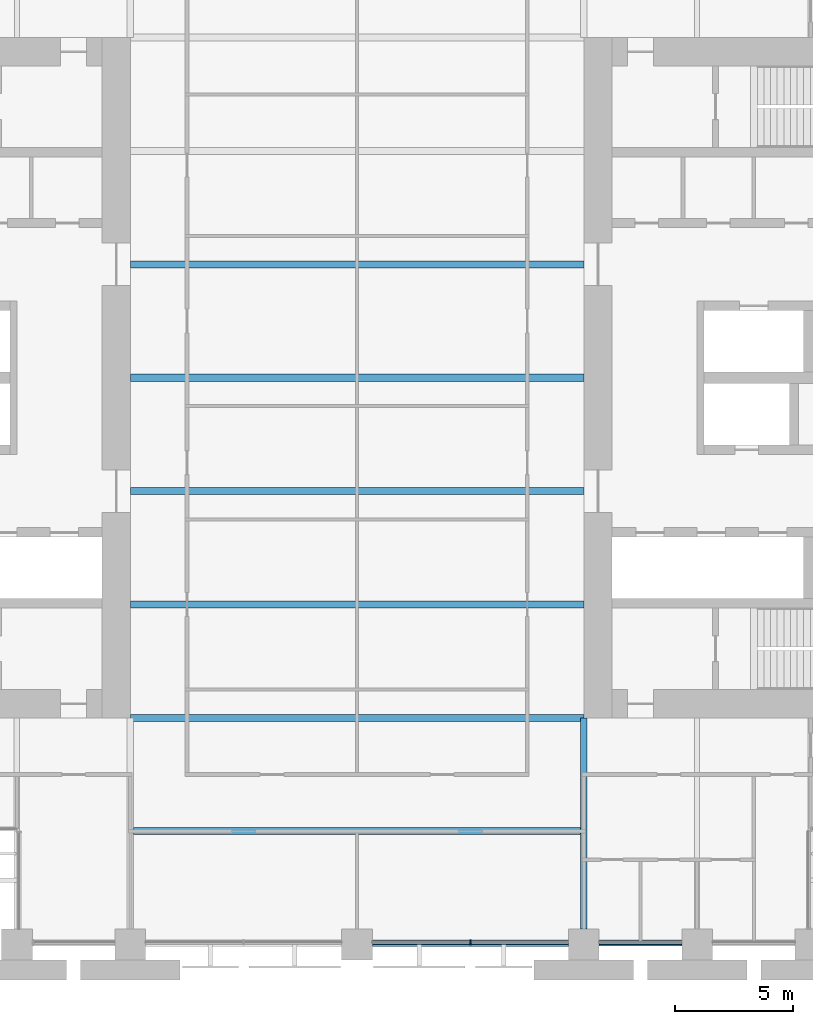
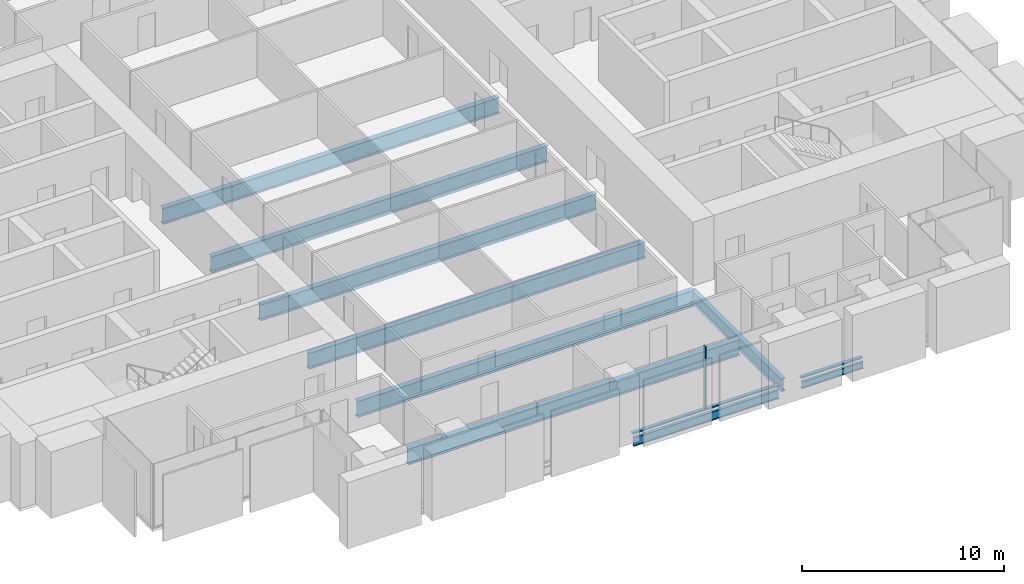
# One storey, part 3 of 14: 9 beams, 3 members, 1 element without a shape of its own.
"""IFC4 building model written with IfcOpenShell, lengths in metres."""

import ifcopenshell
import ifcopenshell.guid

model = None  # the IFC model being written
_history = None  # IfcOwnerHistory: only IFC2X3 demands one
_inside = {}  # id of a spatial element -> (the spatial element, [elements in it])
_under = {}  # id of a project, library or spatial element -> (it, [spatial elements below it])
_declared = {}  # id of a project -> (the project, [libraries it declares])
_typed = {}  # id of a type object -> (the type object, [elements of that type])
_made_of = {}  # id of a material, layer set ... -> (it, [elements and type objects made of it])


def new_model(schema):
    """Start an empty IFC model of exactly this schema.

    Asked for "IFC4X3", IfcOpenShell would pick the latest addendum, in which some entities
    have other attributes; the version numbers below select the first issue.
    IFC2X3 requires an IfcOwnerHistory on every rooted entity: one is made here for all.
    """
    global model, _history
    if schema == "IFC4X3":
        model = ifcopenshell.file(schema_version=(4, 3, 0, 0))
    else:
        model = ifcopenshell.file(schema=schema)
    _inside.clear()
    _under.clear()
    _declared.clear()
    _typed.clear()
    _made_of.clear()
    _history = None
    if model.schema == "IFC2X3":
        org = make("IfcOrganization", Name="unknown")
        user = make(
            "IfcPersonAndOrganization",
            ThePerson=make("IfcPerson", FamilyName="unknown"),
            TheOrganization=org,
        )
        app = make(
            "IfcApplication",
            ApplicationDeveloper=org,
            Version="unknown",
            ApplicationFullName="unknown",
            ApplicationIdentifier="unknown",
        )
        _history = make(
            "IfcOwnerHistory",
            OwningUser=user,
            OwningApplication=app,
            ChangeAction="ADDED",
            CreationDate=0,
        )
    return model


def make(cls, **values):
    """One entity of the class cls with the attributes given. An attribute that is None is left unset."""
    return model.create_entity(
        cls, **{name: value for name, value in values.items() if value is not None}
    )


def rooted(cls, **values):
    """An entity with a GlobalId (a new one), such as an element, a storey or a relation."""
    return make(cls, GlobalId=ifcopenshell.guid.new(), OwnerHistory=_history, **values)


def si_unit(unit_type, name, prefix=None):
    """IfcSIUnit, for example si_unit("LENGTHUNIT", "METRE", prefix="MILLI")."""
    return make("IfcSIUnit", UnitType=unit_type, Prefix=prefix, Name=name)


def assignment(units):
    """IfcUnitAssignment: the units of a project."""
    return None if units is None else make("IfcUnitAssignment", Units=units)


def point(xyz):
    """IfcCartesianPoint."""
    return None if xyz is None else make("IfcCartesianPoint", Coordinates=xyz)


def direction(xyz):
    """IfcDirection."""
    return None if xyz is None else make("IfcDirection", DirectionRatios=xyz)


def frame(location, z_axis=None, x_axis=None):
    """IfcAxis2Placement3D, a coordinate frame: its origin and axes. An axis left out is left unset."""
    return make(
        "IfcAxis2Placement3D",
        Location=point(location),
        Axis=direction(z_axis),
        RefDirection=direction(x_axis),
    )


def frame_2d(location, x_axis=None):
    """IfcAxis2Placement2D, a coordinate frame in the plane: its origin and x axis."""
    return make(
        "IfcAxis2Placement2D", Location=point(location), RefDirection=direction(x_axis)
    )


def origin():
    """The frame at (0, 0, 0) with its axes left unset."""
    return frame((0.0, 0.0, 0.0))


def origin_2d():
    """The frame at (0, 0) in the plane with its x axis left unset."""
    return frame_2d((0.0, 0.0))


def place(relative_to, where):
    """IfcLocalPlacement: puts the frame where relative to a parent placement (None: the world)."""
    return make(
        "IfcLocalPlacement", PlacementRelTo=relative_to, RelativePlacement=where
    )


def context(
    kind, dimensions, precision=None, world=None, true_north=None, identifier=None
):
    """IfcGeometricRepresentationContext, for example the 3D "Model" context."""
    return make(
        "IfcGeometricRepresentationContext",
        ContextIdentifier=identifier,
        ContextType=kind,
        CoordinateSpaceDimension=dimensions,
        Precision=precision,
        WorldCoordinateSystem=world,
        TrueNorth=true_north,
    )


def subcontext(parent, identifier, kind, view, scale=None):
    """IfcGeometricRepresentationSubContext, for example "Body" below "Model"."""
    return make(
        "IfcGeometricRepresentationSubContext",
        ContextIdentifier=identifier,
        ContextType=kind,
        ParentContext=parent,
        TargetScale=scale,
        TargetView=view,
    )


def project(units=None, contexts=None):
    """IfcProject with its units and contexts."""
    return rooted(
        "IfcProject",
        Name="project",
        RepresentationContexts=contexts,
        UnitsInContext=assignment(units),
    )


def spatial(cls, under=None, at=None, **own):
    """A site, building, storey or space (cls), placed at a placement, below another one or the project."""
    s = rooted(cls, ObjectPlacement=at, **own)
    if under is not None:
        _under.setdefault(under.id(), (under, []))[1].append(s)
    return s


def profile(cls, at=None, kind="AREA", **sizes):
    """A parametric profile (cls). Its sizes go by their IFC names, for example OverallWidth=200.0."""
    return make(cls, ProfileType=kind, Position=at, **sizes)


def rectangle(**sizes):
    """IfcRectangleProfileDef."""
    return profile("IfcRectangleProfileDef", **sizes)


def i_section(**sizes):
    """IfcIShapeProfileDef."""
    return profile("IfcIShapeProfileDef", **sizes)


def extrude(swept, where, along, depth):
    """IfcExtrudedAreaSolid: the profile swept, set in the frame where, extruded along a direction by depth."""
    return make(
        "IfcExtrudedAreaSolid",
        SweptArea=swept,
        Position=where,
        ExtrudedDirection=direction(along),
        Depth=depth,
    )


def shape(context_of_items, identifier, shape_type, items):
    """IfcShapeRepresentation: the items that make up one representation, for example the "Body"."""
    return make(
        "IfcShapeRepresentation",
        ContextOfItems=context_of_items,
        RepresentationIdentifier=identifier,
        RepresentationType=shape_type,
        Items=items,
    )


def material(Name=None, Category=None):
    """IfcMaterial."""
    return make("IfcMaterial", Name=Name, Category=Category)


def material_profile(
    of_material, cross_section, Name=None, Category=None, Priority=None
):
    """IfcMaterialProfile: a cross section and its material."""
    return make(
        "IfcMaterialProfile",
        Name=Name,
        Material=of_material,
        Profile=cross_section,
        Priority=Priority,
        Category=Category,
    )


def profile_set(profiles, Name=None, composite=None):
    """IfcMaterialProfileSet."""
    return make(
        "IfcMaterialProfileSet",
        Name=Name,
        MaterialProfiles=profiles,
        CompositeProfile=composite,
    )


def made_of(thing, what):
    """Note that an element or type object is made of a material, layer set ...; save() writes the relation."""
    if what is not None:
        _made_of.setdefault(what.id(), (what, []))[1].append(thing)
    return thing


def type_object(cls, material=None, **own):
    """A type object (cls), such as IfcWallType, which elements share."""
    return made_of(rooted(cls, **own), material)


def element(
    cls,
    number,
    at=None,
    inside=None,
    cuts=None,
    type_object=None,
    material=None,
    context=None,
    identifier="Body",
    shape_type=None,
    held_by="IfcProductDefinitionShape",
    body=None,
    shapes=None,
    **own,
):
    """One element of the class cls, such as IfcWall. Its Tag is "e" and its number.

    at: its placement. inside: the storey or other place that contains it. cuts: it is an
    opening in that element (IfcRelVoidsElement). A single representation is given by context,
    identifier, shape_type and body (its items); several are given by shapes. held_by: the class
    of the entity that holds the representations. save() writes the other relations.
    """
    e = rooted(cls, Tag="e%d" % number, ObjectPlacement=at, **own)
    if body is not None:
        shapes = [shape(context, identifier, shape_type, body)]
    if shapes is not None:
        e.Representation = make(held_by, Representations=shapes)
    if inside is not None:
        _inside.setdefault(inside.id(), (inside, []))[1].append(e)
    if cuts is not None:
        rooted(
            "IfcRelVoidsElement", RelatingBuildingElement=cuts, RelatedOpeningElement=e
        )
    if type_object is not None:
        _typed.setdefault(type_object.id(), (type_object, []))[1].append(e)
    return made_of(e, material)


def aggregate(whole, parts):
    """IfcRelAggregates: a whole, such as a stair, and the parts it consists of."""
    return rooted("IfcRelAggregates", RelatingObject=whole, RelatedObjects=parts)


def save(model, path):
    """Write the relations noted so far, then the file.

    IfcRelAggregates (storeys below a building ...), IfcRelContainedInSpatialStructure (elements
    in a storey), IfcRelDefinesByType, IfcRelAssociatesMaterial and IfcRelDeclares: one each for
    every whole, place, type object, material and project.
    """
    for whole, parts in _under.values():
        aggregate(whole, parts)
    for where, things in _inside.values():
        rooted(
            "IfcRelContainedInSpatialStructure",
            RelatedElements=things,
            RelatingStructure=where,
        )
    for kind, things in _typed.values():
        rooted("IfcRelDefinesByType", RelatedObjects=things, RelatingType=kind)
    for what, things in _made_of.values():
        rooted("IfcRelAssociatesMaterial", RelatedObjects=things, RelatingMaterial=what)
    for by, libraries in _declared.values():
        rooted("IfcRelDeclares", RelatingContext=by, RelatedDefinitions=libraries)
    model.write(path)


model = new_model("IFC4")

# Units and contexts
model_context = context("Model", 3, precision=1e-05, world=origin(), true_north=direction((0.0, 1.0)))
body_context = subcontext(model_context, "Body", "Model", "MODEL_VIEW")
ifc_project = project(units=[si_unit("LENGTHUNIT", "METRE"), si_unit("AREAUNIT", "SQUARE_METRE"), si_unit("VOLUMEUNIT", "CUBIC_METRE"), si_unit("PLANEANGLEUNIT", "RADIAN"), si_unit("MASSUNIT", "GRAM", prefix="KILO")], contexts=[model_context])

# Site, building, storey
site_placement = place(None, origin())
site = spatial("IfcSite", under=ifc_project, at=site_placement, CompositionType="ELEMENT")
building_placement = place(site_placement, origin())
building = spatial("IfcBuilding", under=site, at=building_placement, Name="Baori Bourse Tower", CompositionType="ELEMENT")
storey_placement = place(building_placement, frame((0.0, 0.0, 55.0)))
storey = spatial("IfcBuildingStorey", under=building, at=storey_placement, Name="L11", CompositionType="ELEMENT", Elevation=55.0)

# Curtain wall, members
ifc_material_1 = material(Name="Pale anodised aluminium", Category="aluminium")
curtain_wall_type = type_object("IfcCurtainWallType", Name="CW1 Curtain wall", PredefinedType="NOTDEFINED", material=ifc_material_1)
curtain_wall_placement = place(storey_placement, origin())
curtain_wall = element("IfcCurtainWall", 1, at=curtain_wall_placement, inside=storey, type_object=curtain_wall_type, Name="Curtain wall CW1 L11 11", PredefinedType="NOTDEFINED")
ifc_material_2 = material(Name="Pale anodised aluminium", Category="aluminium")
ifc_material_profile_1 = material_profile(ifc_material_2, rectangle(XDim=0.199951171875, YDim=0.06005859375, at=origin_2d()), Name="Mullion 60x200")
ifc_profile_set_1 = profile_set([ifc_material_profile_1], Name="Pale anodised aluminium")
member_type_1 = type_object("IfcMemberType", Name="CW1 Curtain wall mullion", PredefinedType="MULLION", material=ifc_profile_set_1)
member_1_placement = place(storey_placement, frame((33.60009765625, 0.10009765625, 0.080078125), z_axis=(0.0, 0.0, 1.0), x_axis=(0.0, 1.0, 0.0)))
member_1 = element("IfcMember", 2, at=member_1_placement, type_object=member_type_1, Name="Curtain wall CW1 mullion", PredefinedType="MULLION", context=body_context, shape_type="SweptSolid", body=[
    extrude(rectangle(XDim=0.199951171875, YDim=0.06005859375, at=origin_2d()), origin(), (0.0, 0.0, 1.0), 3.760009765625),
])
ifc_material_3 = material(Name="Pale anodised aluminium", Category="aluminium")
ifc_material_profile_2 = material_profile(ifc_material_3, rectangle(XDim=0.199951171875, YDim=0.080078125, at=origin_2d()), Name="Transom 80x200")
ifc_profile_set_2 = profile_set([ifc_material_profile_2], Name="Pale anodised aluminium")
member_type_2 = type_object("IfcMemberType", Name="CW1 Curtain wall transom", PredefinedType="USERDEFINED", material=ifc_profile_set_2)
member_2_placement = place(storey_placement, frame((29.449951171875, 0.10009765625, 0.0400390625), z_axis=(1.0, 0.0, 0.0), x_axis=(0.0, 1.0, 0.0)))
member_2 = element("IfcMember", 3, at=member_2_placement, type_object=member_type_2, Name="Curtain wall CW1 sill rail", ObjectType="TRANSOM", PredefinedType="USERDEFINED", context=body_context, shape_type="SweptSolid", body=[
    extrude(rectangle(XDim=0.199951171875, YDim=0.080078125, at=origin_2d()), origin(), (0.0, 0.0, 1.0), 8.300048828125),
])
member_3_placement = place(storey_placement, frame((39.050048828125, 0.10009765625, 0.0400390625), z_axis=(1.0, 0.0, 0.0), x_axis=(0.0, 1.0, 0.0)))
member_3 = element("IfcMember", 4, at=member_3_placement, type_object=member_type_2, Name="Curtain wall CW1 sill rail", ObjectType="TRANSOM", PredefinedType="USERDEFINED", context=body_context, shape_type="SweptSolid", body=[
    extrude(rectangle(XDim=0.199951171875, YDim=0.080078125, at=origin_2d()), origin(), (0.0, 0.0, 1.0), 3.5),
])
aggregate(curtain_wall, [member_2, member_1, member_3])

# Beams
ifc_material_4 = material(Name="Steel A992 Gr 50", Category="steel")
ifc_material_profile_3 = material_profile(ifc_material_4, i_section(OverallWidth=0.140380859375, OverallDepth=0.40380859375, WebThickness=0.007080078125, FlangeThickness=0.01123046875, at=origin_2d()), Name="W16x31")
ifc_profile_set_3 = profile_set([ifc_material_profile_3], Name="Steel A992 Gr 50")
beam_type_1 = type_object("IfcBeamType", Name="Edge beam W16x31", PredefinedType="BEAM", material=ifc_profile_set_3)
beam_1_placement = place(storey_placement, frame((39.050048828125, 0.0, -0.36181640625), z_axis=(1.0, 0.0, 0.0), x_axis=(0.0, 1.0, 0.0)))
element("IfcBeam", 5, at=beam_1_placement, inside=storey, type_object=beam_type_1, Name="Edge beam L11", PredefinedType="BEAM", context=body_context, shape_type="SweptSolid", body=[
    extrude(i_section(OverallWidth=0.140380859375, OverallDepth=0.40380859375, WebThickness=0.007080078125, FlangeThickness=0.01123046875, at=origin_2d()), origin(), (0.0, 0.0, 1.0), 3.5),
])
ifc_material_5 = material(Name="Steel A992 Gr 50", Category="steel")
ifc_material_profile_4 = material_profile(ifc_material_5, i_section(OverallWidth=0.1650390625, OverallDepth=0.52587890625, WebThickness=0.0087890625, FlangeThickness=0.011474609375, at=origin_2d()), Name="W21x44")
ifc_profile_set_4 = profile_set([ifc_material_profile_4], Name="Steel A992 Gr 50")
beam_type_2 = type_object("IfcBeamType", Name="Edge beam W21x44", PredefinedType="BEAM", material=ifc_profile_set_4)
beam_2_placement = place(storey_placement, frame((29.449951171875, 0.0, -0.4228515625), z_axis=(1.0, 0.0, 0.0), x_axis=(0.0, 1.0, 0.0)))
element("IfcBeam", 6, at=beam_2_placement, inside=storey, type_object=beam_type_2, Name="Edge beam L11", PredefinedType="BEAM", context=body_context, shape_type="SweptSolid", body=[
    extrude(i_section(OverallWidth=0.1650390625, OverallDepth=0.52587890625, WebThickness=0.0087890625, FlangeThickness=0.011474609375, at=origin_2d()), origin(), (0.0, 0.0, 1.0), 8.300048828125),
])
ifc_material_6 = material(Name="Steel A992 Gr 50", Category="steel")
ifc_material_profile_5 = material_profile(ifc_material_6, i_section(OverallWidth=0.2998046875, OverallDepth=0.97021484375, WebThickness=0.01611328125, FlangeThickness=0.02099609375, at=origin_2d()), Name="W40x149")
ifc_profile_set_5 = profile_set([ifc_material_profile_5], Name="Steel A992 Gr 50")
beam_type_3 = type_object("IfcBeamType", Name="Floor beam W40x149", PredefinedType="BEAM", material=ifc_profile_set_5)
beam_3_placement = place(storey_placement, frame((19.333251953125, 4.800048828125, -0.64501953125), z_axis=(1.0, 0.0, 0.0), x_axis=(0.0, 1.0, 0.0)))
element("IfcBeam", 7, at=beam_3_placement, inside=storey, type_object=beam_type_3, Name="Floor beam L11", PredefinedType="BEAM", context=body_context, shape_type="SweptSolid", body=[
    extrude(i_section(OverallWidth=0.2998046875, OverallDepth=0.97021484375, WebThickness=0.01611328125, FlangeThickness=0.02099609375, at=origin_2d()), origin(), (0.0, 0.0, 1.0), 18.933349609375),
])
for number, where, z_axis, x_axis, name in (
    (8, (19.199951171875, 9.60009765625, -0.64501953125), (1.0, 0.0, 0.0), (0.0, 1.0, 0.0), "Floor beam L11"),
    (9, (19.199951171875, 14.39990234375, -0.64501953125), (1.0, 0.0, 0.0), (0.0, 1.0, 0.0), "Floor beam L11"),
    (10, (19.199951171875, 19.199951171875, -0.64501953125), (1.0, 0.0, 0.0), (0.0, 1.0, 0.0), "Floor beam L11"),
    (11, (19.199951171875, 24.0, -0.64501953125), (1.0, 0.0, 0.0), (0.0, 1.0, 0.0), "Floor beam L11"),
    (12, (19.199951171875, 28.800048828125, -0.64501953125), (1.0, 0.0, 0.0), (0.0, 1.0, 0.0), "Floor beam L11"),
):
    element("IfcBeam", number, at=place(storey_placement, frame(where, z_axis=z_axis, x_axis=x_axis)), inside=storey, type_object=beam_type_3, Name=name, PredefinedType="BEAM", context=body_context, shape_type="SweptSolid", body=[
        extrude(i_section(OverallWidth=0.2998046875, OverallDepth=0.97021484375, WebThickness=0.01611328125, FlangeThickness=0.02099609375, at=origin_2d()), origin(), (0.0, 0.0, 1.0), 19.199951171875),
    ])
ifc_material_7 = material(Name="Steel A992 Gr 50", Category="steel")
ifc_material_profile_6 = material_profile(ifc_material_7, i_section(OverallWidth=0.2666015625, OverallDepth=0.7568359375, WebThickness=0.013916015625, FlangeThickness=0.019287109375, at=origin_2d()), Name="W30x108")
ifc_profile_set_6 = profile_set([ifc_material_profile_6], Name="Steel A992 Gr 50")
beam_type_4 = type_object("IfcBeamType", Name="Girder W30x108", PredefinedType="BEAM", material=ifc_profile_set_6)
beam_4_placement = place(storey_placement, frame((38.39990234375, 0.64990234375, -0.53857421875), z_axis=(0.0, 1.0, 0.0), x_axis=(-1.0, 0.0, 0.0)))
element("IfcBeam", 13, at=beam_4_placement, inside=storey, type_object=beam_type_4, Name="Girder L11", PredefinedType="BEAM", context=body_context, shape_type="SweptSolid", body=[
    extrude(i_section(OverallWidth=0.2666015625, OverallDepth=0.7568359375, WebThickness=0.013916015625, FlangeThickness=0.019287109375, at=origin_2d()), origin(), (0.0, 0.0, 1.0), 8.9501953125),
])

save(model, "model.ifc")
